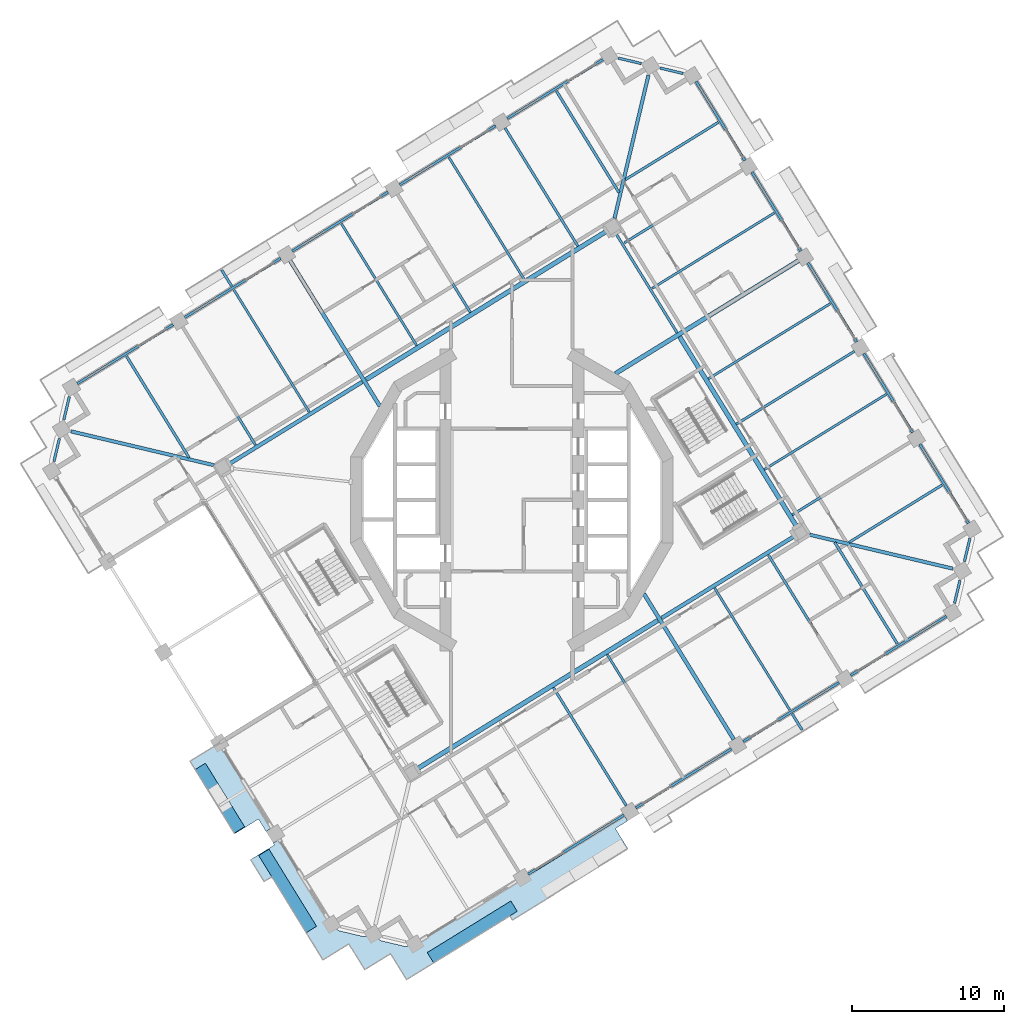
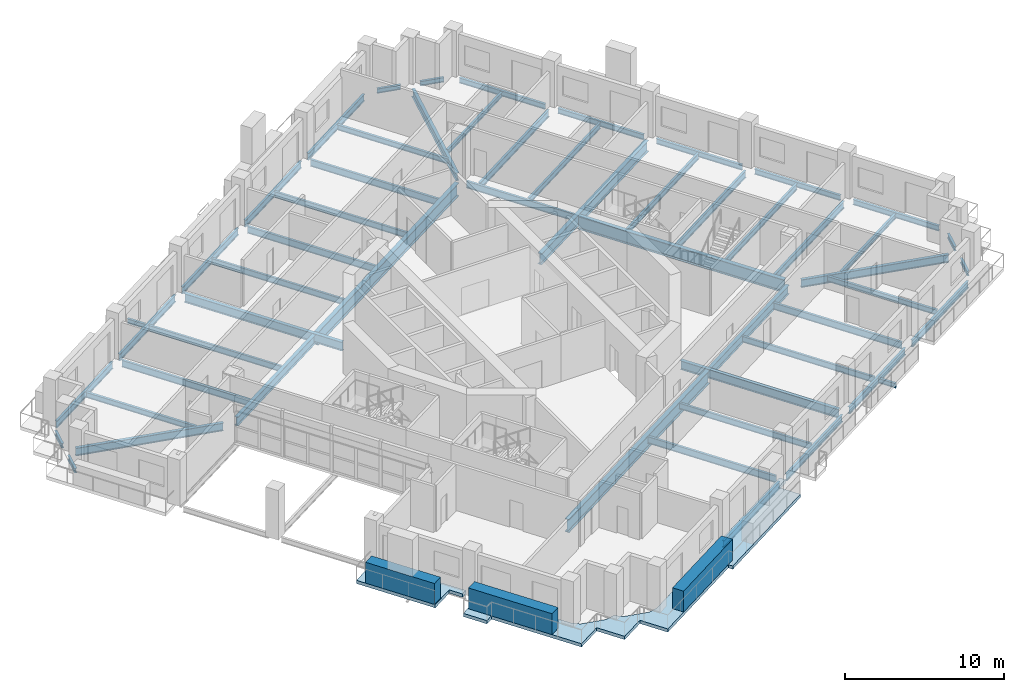
# One storey, part 3 of 20: 55 beams, 3 plates, 2 slabs.
"""IFC4 building model written with IfcOpenShell, lengths in metres."""

from ifc_helpers import new_model, si_unit, direction, frame, origin, origin_2d, place, context, subcontext, project, spatial, polyline, rectangle, i_section, outline, extrude, material, layer, layer_set, material_profile, profile_set, type_object, element, save


model = new_model("IFC4")

# Units and contexts
model_context = context("Model", 3, precision=1e-05, world=origin(), true_north=direction((0.0, 1.0)))
body_context = subcontext(model_context, "Body", "Model", "MODEL_VIEW")
ifc_project = project(units=[si_unit("LENGTHUNIT", "METRE"), si_unit("AREAUNIT", "SQUARE_METRE"), si_unit("VOLUMEUNIT", "CUBIC_METRE"), si_unit("PLANEANGLEUNIT", "RADIAN"), si_unit("MASSUNIT", "GRAM", prefix="KILO")], contexts=[model_context])

# Site, building, storey
site_placement = place(None, origin())
site = spatial("IfcSite", under=ifc_project, at=site_placement, CompositionType="ELEMENT")
building_placement = place(site_placement, origin())
building = spatial("IfcBuilding", under=site, at=building_placement, Name="Cantera Rosa Tower", CompositionType="ELEMENT")
storey_placement = place(building_placement, frame((0.0, 0.0, 155.199951171875)))
storey = spatial("IfcBuildingStorey", under=building, at=storey_placement, Name="L33", CompositionType="ELEMENT", Elevation=155.199951171875)

# Beams
ifc_material_1 = material(Name="Steel ASTM A992 (Fy 345 MPa)", Category="steel")
ifc_material_profile_1 = material_profile(ifc_material_1, i_section(OverallWidth=0.300048828125, OverallDepth=0.990966796875, WebThickness=0.0166015625, FlangeThickness=0.030517578125, FilletRadius=0.030029296875, at=origin_2d()), Name="W1000X272")
ifc_profile_set_1 = profile_set([ifc_material_profile_1], Name="Steel ASTM A992 (Fy 345 MPa)")
beam_type_1 = type_object("IfcBeamType", Name="STEEL BEAM W1000X272", PredefinedType="BEAM", material=ifc_profile_set_1)
beam_1_placement = place(storey_placement, frame((18.767822265625, -1.75927734375, -0.745361328125), z_axis=(-0.524974072618, 0.851118219215, 0.0), x_axis=(-0.851118219215, -0.524974072618, 0.0)))
element("IfcBeam", 1, at=beam_1_placement, inside=storey, type_object=beam_type_1, Name="RB-Z3-05 L33", PredefinedType="BEAM", context=body_context, shape_type="SweptSolid", body=[
    extrude(i_section(OverallWidth=0.300048828125, OverallDepth=0.990966796875, WebThickness=0.0166015625, FlangeThickness=0.030517578125, FilletRadius=0.030029296875, at=origin_2d()), origin(), (0.0, 0.0, 1.0), 14.7099609375),
])
ifc_material_2 = material(Name="Steel ASTM A992 (Fy 345 MPa)", Category="steel")
ifc_material_profile_2 = material_profile(ifc_material_2, i_section(OverallWidth=0.302001953125, OverallDepth=1.010009765625, WebThickness=0.02099609375, FlangeThickness=0.0400390625, FilletRadius=0.030029296875, at=origin_2d()), Name="W1000X350")
ifc_profile_set_2 = profile_set([ifc_material_profile_2], Name="Steel ASTM A992 (Fy 345 MPa)")
beam_type_2 = type_object("IfcBeamType", Name="STEEL BEAM W1000X350", PredefinedType="BEAM", material=ifc_profile_set_2)
for number, where, z_axis, x_axis, name in (
    (2, (-9.607666015625, 7.93798828125, -0.7548828125), (0.851118702028, 0.524973289852, 0.0), (-0.524973289852, 0.851118702028, 0.0), "RB-Z3-02 L33"),
    (3, (-6.231689453125, -17.707763671875, -0.7548828125), (0.851118702028, 0.524973289852, 0.0), (-0.524973289852, 0.851118702028, 0.0), "RB-Z3-03 L33"),
):
    element("IfcBeam", number, at=place(storey_placement, frame(where, z_axis=z_axis, x_axis=x_axis)), inside=storey, type_object=beam_type_2, Name=name, PredefinedType="BEAM", context=body_context, shape_type="SweptSolid", body=[
        extrude(i_section(OverallWidth=0.302001953125, OverallDepth=1.010009765625, WebThickness=0.02099609375, FlangeThickness=0.0400390625, FilletRadius=0.030029296875, at=origin_2d()), origin(), (0.0, 0.0, 1.0), 18.610107421875),
    ])
ifc_material_3 = material(Name="Steel ASTM A992 (Fy 345 MPa)", Category="steel")
ifc_material_profile_3 = material_profile(ifc_material_3, i_section(OverallWidth=0.166015625, OverallDepth=0.528076171875, WebThickness=0.009765625, FlangeThickness=0.013671875, FilletRadius=0.0126953125, at=origin_2d()), Name="W530X74")
ifc_profile_set_3 = profile_set([ifc_material_profile_3], Name="Steel ASTM A992 (Fy 345 MPa)")
beam_type_3 = type_object("IfcBeamType", Name="STEEL BEAM W530X74", PredefinedType="BEAM", material=ifc_profile_set_3)
beam_2_placement = place(storey_placement, frame((26.252685546875, 3.82080078125, -0.513916015625), z_axis=(-0.851116426313, -0.524976979362, 0.0), x_axis=(0.524976979362, -0.851116426313, 0.0)))
element("IfcBeam", 4, at=beam_2_placement, inside=storey, type_object=beam_type_3, Name="G-Z3-01 L33", PredefinedType="BEAM", context=body_context, shape_type="SweptSolid", body=[
    extrude(i_section(OverallWidth=0.166015625, OverallDepth=0.528076171875, WebThickness=0.009765625, FlangeThickness=0.013671875, FilletRadius=0.0126953125, at=origin_2d()), origin(), (0.0, 0.0, 1.0), 9.14990234375),
])
for number, where, z_axis, x_axis, name in (
    (5, (22.5673828125, 9.795654296875, -0.513916015625), (-0.851123779764, -0.524965057427, 0.0), (0.524965057427, -0.851123779764, 0.0), "G-Z3-02 L33"),
    (6, (15.19677734375, 21.745361328125, -0.513916015625), (-0.851123779764, -0.524965057427, 0.0), (0.524965057427, -0.851123779764, 0.0), "G-Z3-04 L33"),
):
    element("IfcBeam", number, at=place(storey_placement, frame(where, z_axis=z_axis, x_axis=x_axis)), inside=storey, type_object=beam_type_3, Name=name, PredefinedType="BEAM", context=body_context, shape_type="SweptSolid", body=[
        extrude(i_section(OverallWidth=0.166015625, OverallDepth=0.528076171875, WebThickness=0.009765625, FlangeThickness=0.013671875, FilletRadius=0.0126953125, at=origin_2d()), origin(), (0.0, 0.0, 1.0), 9.150146484375),
    ])
beam_3_placement = place(storey_placement, frame((-0.455078125, 24.51025390625, -0.513916015625), z_axis=(0.524976979362, -0.851116426313, 0.0), x_axis=(0.851116426313, 0.524976979362, 0.0)))
element("IfcBeam", 7, at=beam_3_placement, inside=storey, type_object=beam_type_3, Name="G-Z3-05 L33", PredefinedType="BEAM", context=body_context, shape_type="SweptSolid", body=[
    extrude(i_section(OverallWidth=0.166015625, OverallDepth=0.528076171875, WebThickness=0.009765625, FlangeThickness=0.013671875, FilletRadius=0.0126953125, at=origin_2d()), origin(), (0.0, 0.0, 1.0), 9.14990234375),
])
beam_4_placement = place(storey_placement, frame((-7.536376953125, 20.142578125, -0.513916015625), z_axis=(0.524965057427, -0.851123779764, 0.0), x_axis=(0.851123779764, 0.524965057427, 0.0)))
element("IfcBeam", 8, at=beam_4_placement, inside=storey, type_object=beam_type_3, Name="G-Z3-06 L33", PredefinedType="BEAM", context=body_context, shape_type="SweptSolid", body=[
    extrude(i_section(OverallWidth=0.166015625, OverallDepth=0.528076171875, WebThickness=0.009765625, FlangeThickness=0.013671875, FilletRadius=0.0126953125, at=origin_2d()), origin(), (0.0, 0.0, 1.0), 9.150146484375),
])
beam_5_placement = place(storey_placement, frame((-21.698974609375, 11.40673828125, -0.513916015625), z_axis=(0.524976979362, -0.851116426313, 0.0), x_axis=(0.851116426313, 0.524976979362, 0.0)))
element("IfcBeam", 9, at=beam_5_placement, inside=storey, type_object=beam_type_3, Name="G-Z3-08 L33", PredefinedType="BEAM", context=body_context, shape_type="SweptSolid", body=[
    extrude(i_section(OverallWidth=0.166015625, OverallDepth=0.528076171875, WebThickness=0.009765625, FlangeThickness=0.013671875, FilletRadius=0.0126953125, at=origin_2d()), origin(), (0.0, 0.0, 1.0), 9.14990234375),
])
beam_6_placement = place(storey_placement, frame((7.536376953125, -20.142578125, -0.513916015625), z_axis=(-0.524965057427, 0.851123779764, 0.0), x_axis=(-0.851123779764, -0.524965057427, 0.0)))
element("IfcBeam", 10, at=beam_6_placement, inside=storey, type_object=beam_type_3, Name="G-Z3-10 L33", PredefinedType="BEAM", context=body_context, shape_type="SweptSolid", body=[
    extrude(i_section(OverallWidth=0.166015625, OverallDepth=0.528076171875, WebThickness=0.009765625, FlangeThickness=0.013671875, FilletRadius=0.0126953125, at=origin_2d()), origin(), (0.0, 0.0, 1.0), 9.150146484375),
])
beam_7_placement = place(storey_placement, frame((21.698974609375, -11.40673828125, -0.513916015625), z_axis=(-0.524976979362, 0.851116426313, 0.0), x_axis=(-0.851116426313, -0.524976979362, 0.0)))
element("IfcBeam", 11, at=beam_7_placement, inside=storey, type_object=beam_type_3, Name="G-Z3-12 L33", PredefinedType="BEAM", context=body_context, shape_type="SweptSolid", body=[
    extrude(i_section(OverallWidth=0.166015625, OverallDepth=0.528076171875, WebThickness=0.009765625, FlangeThickness=0.013671875, FilletRadius=0.0126953125, at=origin_2d()), origin(), (0.0, 0.0, 1.0), 9.14990234375),
])
beam_8_placement = place(storey_placement, frame((10.887939453125, 11.015869140625, -0.513916015625), z_axis=(-0.52497571981, 0.851117203216, 0.0), x_axis=(-0.851117203216, -0.52497571981, 0.0)))
element("IfcBeam", 12, at=beam_8_placement, inside=storey, type_object=beam_type_3, Name="RB-Z3-06 L33", PredefinedType="BEAM", context=body_context, shape_type="SweptSolid", body=[
    extrude(i_section(OverallWidth=0.166015625, OverallDepth=0.528076171875, WebThickness=0.009765625, FlangeThickness=0.013671875, FilletRadius=0.0126953125, at=origin_2d()), origin(), (0.0, 0.0, 1.0), 7.690185546875),
])
ifc_material_4 = material(Name="Steel ASTM A992 (Fy 345 MPa)", Category="steel")
ifc_material_profile_4 = material_profile(ifc_material_4, i_section(OverallWidth=0.22802734375, OverallDepth=0.60205078125, WebThickness=0.010498046875, FlangeThickness=0.014892578125, FilletRadius=0.0126953125, at=origin_2d()), Name="W610X101")
ifc_profile_set_4 = profile_set([ifc_material_profile_4], Name="Steel ASTM A992 (Fy 345 MPa)")
beam_type_4 = type_object("IfcBeamType", Name="STEEL BEAM W610X101", PredefinedType="BEAM", material=ifc_profile_set_4)
for number, where, z_axis, x_axis, name in (
    (13, (8.995361328125, 27.989501953125, -0.551025390625), (-0.230622120091, -0.973043389436, 0.0), (0.973043389436, -0.230622120091, 0.0), "CB-Z3-01 L33"),
    (14, (-29.049560546875, 4.523193359375, -0.551025390625), (0.973043389436, -0.230622120091, 0.0), (0.230622120091, 0.973043389436, 0.0), "CB-Z3-02 L33"),
    (15, (29.049560546875, -4.523193359375, -0.551025390625), (-0.973043389436, 0.230622120091, 0.0), (-0.230622120091, -0.973043389436, 0.0), "CB-Z3-04 L33"),
):
    element("IfcBeam", number, at=place(storey_placement, frame(where, z_axis=z_axis, x_axis=x_axis)), inside=storey, type_object=beam_type_4, Name=name, PredefinedType="BEAM", context=body_context, shape_type="SweptSolid", body=[
        extrude(i_section(OverallWidth=0.22802734375, OverallDepth=0.60205078125, WebThickness=0.010498046875, FlangeThickness=0.014892578125, FilletRadius=0.0126953125, at=origin_2d()), origin(), (0.0, 0.0, 1.0), 9.6875),
    ])
ifc_material_5 = material(Name="Steel ASTM A992 (Fy 345 MPa)", Category="steel")
ifc_material_profile_5 = material_profile(ifc_material_5, i_section(OverallWidth=0.25390625, OverallDepth=0.677978515625, WebThickness=0.01171875, FlangeThickness=0.016357421875, FilletRadius=0.01513671875, at=origin_2d()), Name="W690X125")
ifc_profile_set_5 = profile_set([ifc_material_profile_5], Name="Steel ASTM A992 (Fy 345 MPa)")
beam_type_5 = type_object("IfcBeamType", Name="STEEL BEAM W690X125", PredefinedType="BEAM", material=ifc_profile_set_5)
for number, where, z_axis, x_axis, name in (
    (16, (-14.61767578125, 15.774658203125, -0.5888671875), (0.524984160378, -0.85111199695, 0.0), (0.85111199695, 0.524984160378, 0.0), "G-Z3-07 L33"),
    (17, (14.61767578125, -15.774658203125, -0.5888671875), (-0.524984160378, 0.85111199695, 0.0), (-0.85111199695, -0.524984160378, 0.0), "G-Z3-11 L33"),
):
    element("IfcBeam", number, at=place(storey_placement, frame(where, z_axis=z_axis, x_axis=x_axis)), inside=storey, type_object=beam_type_5, Name=name, PredefinedType="BEAM", context=body_context, shape_type="SweptSolid", body=[
        extrude(i_section(OverallWidth=0.25390625, OverallDepth=0.677978515625, WebThickness=0.01171875, FlangeThickness=0.016357421875, FilletRadius=0.01513671875, at=origin_2d()), origin(), (0.0, 0.0, 1.0), 11.271728515625),
    ])
for number, where, z_axis, x_axis, name in (
    (18, (-18.62109375, 2.37841796875, -0.5888671875), (0.851114508358, 0.524980088825, 0.0), (-0.524980088825, 0.851114508358, 0.0), "RB-Z3-01 L33"),
    (19, (9.863037109375, -7.780517578125, -0.5888671875), (0.851114508358, 0.524980088825, 0.0), (-0.524980088825, 0.851114508358, 0.0), "RB-Z3-04 L33"),
):
    element("IfcBeam", number, at=place(storey_placement, frame(where, z_axis=z_axis, x_axis=x_axis)), inside=storey, type_object=beam_type_5, Name=name, PredefinedType="BEAM", context=body_context, shape_type="SweptSolid", body=[
        extrude(i_section(OverallWidth=0.25390625, OverallDepth=0.677978515625, WebThickness=0.01171875, FlangeThickness=0.016357421875, FilletRadius=0.01513671875, at=origin_2d()), origin(), (0.0, 0.0, 1.0), 10.2900390625),
    ])
ifc_material_6 = material(Name="Steel ASTM A992 (Fy 345 MPa)", Category="steel")
ifc_material_profile_6 = material_profile(ifc_material_6, i_section(OverallWidth=0.2919921875, OverallDepth=0.8359375, WebThickness=0.013916015625, FlangeThickness=0.018798828125, FilletRadius=0.017822265625, at=origin_2d()), Name="W840X176")
ifc_profile_set_6 = profile_set([ifc_material_profile_6], Name="Steel ASTM A992 (Fy 345 MPa)")
beam_type_6 = type_object("IfcBeamType", Name="STEEL BEAM W840X176", PredefinedType="BEAM", material=ifc_profile_set_6)
beam_9_placement = place(storey_placement, frame((18.882080078125, 15.7705078125, -0.66796875), z_axis=(-0.8511231456, -0.524966085595, 0.0), x_axis=(0.524966085595, -0.8511231456, 0.0)))
element("IfcBeam", 20, at=beam_9_placement, inside=storey, type_object=beam_type_6, Name="G-Z3-03 L33", PredefinedType="BEAM", context=body_context, shape_type="SweptSolid", body=[
    extrude(i_section(OverallWidth=0.2919921875, OverallDepth=0.8359375, WebThickness=0.013916015625, FlangeThickness=0.018798828125, FilletRadius=0.017822265625, at=origin_2d()), origin(), (0.0, 0.0, 1.0), 14.17138671875),
])
ifc_material_7 = material(Name="Steel ASTM A992 (Fy 345 MPa)", Category="steel")
ifc_material_profile_7 = material_profile(ifc_material_7, i_section(OverallWidth=0.1708984375, OverallDepth=0.35595703125, WebThickness=0.00732421875, FlangeThickness=0.01171875, FilletRadius=0.010009765625, at=origin_2d()), Name="W360X51")
ifc_profile_set_7 = profile_set([ifc_material_profile_7], Name="Steel ASTM A992 (Fy 345 MPa)")
beam_type_7 = type_object("IfcBeamType", Name="STEEL JOIST W360X51", PredefinedType="JOIST", material=ifc_profile_set_7)
for number, where, z_axis, x_axis, name in (
    (21, (28.3505859375, 0.990966796875, -0.427978515625), (-0.851109089911, -0.524988873283, 0.0), (0.524988873283, -0.851109089911, 0.0), "B-Z3-01 L33"),
    (22, (13.609375, 24.890380859375, -0.427978515625), (-0.851109089911, -0.524988873283, 0.0), (0.524988873283, -0.851109089911, 0.0), "B-Z3-05 L33"),
):
    element("IfcBeam", number, at=place(storey_placement, frame(where, z_axis=z_axis, x_axis=x_axis)), inside=storey, type_object=beam_type_7, Name=name, PredefinedType="JOIST", context=body_context, shape_type="SweptSolid", body=[
        extrude(i_section(OverallWidth=0.1708984375, OverallDepth=0.35595703125, WebThickness=0.00732421875, FlangeThickness=0.01171875, FilletRadius=0.010009765625, at=origin_2d()), origin(), (0.0, 0.0, 1.0), 7.2099609375),
    ])
for number, where, z_axis, x_axis, name in (
    (23, (-18.462890625, 14.08447265625, -0.427978515625), (-0.524968880559, 0.851121421681, 0.0), (-0.851121421681, -0.524968880559, 0.0), "BS-Z3-05 L33"),
    (24, (18.462890625, -14.08447265625, -0.427978515625), (0.524968880559, -0.851121421681, 0.0), (0.851121421681, 0.524968880559, 0.0), "BS-Z3-06 L33"),
):
    element("IfcBeam", number, at=place(storey_placement, frame(where, z_axis=z_axis, x_axis=x_axis)), inside=storey, type_object=beam_type_7, Name=name, PredefinedType="JOIST", context=body_context, shape_type="SweptSolid", body=[
        extrude(i_section(OverallWidth=0.1708984375, OverallDepth=0.35595703125, WebThickness=0.00732421875, FlangeThickness=0.01171875, FilletRadius=0.010009765625, at=origin_2d()), origin(), (0.0, 0.0, 1.0), 1.25),
    ])
ifc_material_8 = material(Name="Steel ASTM A992 (Fy 345 MPa)", Category="steel")
ifc_material_profile_8 = material_profile(ifc_material_8, i_section(OverallWidth=0.177978515625, OverallDepth=0.406005859375, WebThickness=0.0078125, FlangeThickness=0.0126953125, FilletRadius=0.01025390625, at=origin_2d()), Name="W410X60")
ifc_profile_set_8 = profile_set([ifc_material_profile_8], Name="Steel ASTM A992 (Fy 345 MPa)")
beam_type_8 = type_object("IfcBeamType", Name="STEEL JOIST W410X60", PredefinedType="JOIST", material=ifc_profile_set_8)
beam_10_placement = place(storey_placement, frame((2.927978515625, 26.949462890625, -0.452880859375), z_axis=(0.524994840515, -0.85110540912, 0.0), x_axis=(0.85110540912, 0.524994840515, 0.0)))
element("IfcBeam", 25, at=beam_10_placement, inside=storey, type_object=beam_type_8, Name="B-Z3-06 L33", PredefinedType="JOIST", context=body_context, shape_type="SweptSolid", body=[
    extrude(i_section(OverallWidth=0.177978515625, OverallDepth=0.406005859375, WebThickness=0.0078125, FlangeThickness=0.0126953125, FilletRadius=0.01025390625, at=origin_2d()), origin(), (0.0, 0.0, 1.0), 7.860107421875),
])
for number, where, z_axis, x_axis, name in (
    (26, (-25.39697265625, 9.478271484375, -0.452880859375), (0.524972339906, -0.851119287958, 0.0), (0.851119287958, 0.524972339906, 0.0), "B-Z3-10 L33"),
    (27, (25.39697265625, -9.478271484375, -0.452880859375), (-0.524972339906, 0.851119287958, 0.0), (-0.851119287958, -0.524972339906, 0.0), "B-Z3-15 L33"),
):
    element("IfcBeam", number, at=place(storey_placement, frame(where, z_axis=z_axis, x_axis=x_axis)), inside=storey, type_object=beam_type_8, Name=name, PredefinedType="JOIST", context=body_context, shape_type="SweptSolid", body=[
        extrude(i_section(OverallWidth=0.177978515625, OverallDepth=0.406005859375, WebThickness=0.0078125, FlangeThickness=0.0126953125, FilletRadius=0.01025390625, at=origin_2d()), origin(), (0.0, 0.0, 1.0), 7.85986328125),
    ])
ifc_material_9 = material(Name="Steel ASTM A992 (Fy 345 MPa)", Category="steel")
ifc_material_profile_9 = material_profile(ifc_material_9, i_section(OverallWidth=0.154052734375, OverallDepth=0.4599609375, WebThickness=0.009033203125, FlangeThickness=0.015380859375, FilletRadius=0.01025390625, at=origin_2d()), Name="W460X68")
ifc_profile_set_9 = profile_set([ifc_material_profile_9], Name="Steel ASTM A992 (Fy 345 MPa)")
beam_type_9 = type_object("IfcBeamType", Name="STEEL JOIST W460X68", PredefinedType="JOIST", material=ifc_profile_set_9)
for number, where, z_axis, x_axis, name in (
    (28, (24.665283203125, 6.9658203125, -0.47998046875), (-0.851118539758, -0.524973552935, 0.0), (0.524973552935, -0.851118539758, 0.0), "B-Z3-02 L33"),
    (29, (20.97998046875, 12.940673828125, -0.47998046875), (-0.851118539758, -0.524973552935, 0.0), (0.524973552935, -0.851118539758, 0.0), "B-Z3-03 L33"),
    (30, (17.294677734375, 18.91552734375, -0.47998046875), (-0.851118539758, -0.524973552935, 0.0), (0.524973552935, -0.851118539758, 0.0), "B-Z3-04 L33"),
):
    element("IfcBeam", number, at=place(storey_placement, frame(where, z_axis=z_axis, x_axis=x_axis)), inside=storey, type_object=beam_type_9, Name=name, PredefinedType="JOIST", context=body_context, shape_type="SweptSolid", body=[
        extrude(i_section(OverallWidth=0.154052734375, OverallDepth=0.4599609375, WebThickness=0.009033203125, FlangeThickness=0.015380859375, FilletRadius=0.01025390625, at=origin_2d()), origin(), (0.0, 0.0, 1.0), 9.449951171875),
    ])
beam_11_placement = place(storey_placement, frame((-4.1533203125, 22.581787109375, -0.47998046875), z_axis=(0.524980724235, -0.851114116427, 0.0), x_axis=(0.851114116427, 0.524980724235, 0.0)))
element("IfcBeam", 31, at=beam_11_placement, inside=storey, type_object=beam_type_9, Name="B-Z3-07 L33", PredefinedType="JOIST", context=body_context, shape_type="SweptSolid", body=[
    extrude(i_section(OverallWidth=0.154052734375, OverallDepth=0.4599609375, WebThickness=0.009033203125, FlangeThickness=0.015380859375, FilletRadius=0.01025390625, at=origin_2d()), origin(), (0.0, 0.0, 1.0), 9.4501953125),
])
beam_12_placement = place(storey_placement, frame((-11.234619140625, 18.2138671875, -0.47998046875), z_axis=(0.524992267726, -0.85110699611, 0.0), x_axis=(0.85110699611, 0.524992267726, 0.0)))
element("IfcBeam", 32, at=beam_12_placement, inside=storey, type_object=beam_type_9, Name="B-Z3-08 L33", PredefinedType="JOIST", context=body_context, shape_type="SweptSolid", body=[
    extrude(i_section(OverallWidth=0.154052734375, OverallDepth=0.4599609375, WebThickness=0.009033203125, FlangeThickness=0.015380859375, FilletRadius=0.01025390625, at=origin_2d()), origin(), (0.0, 0.0, 1.0), 9.449951171875),
])
beam_13_placement = place(storey_placement, frame((-18.315673828125, 13.84619140625, -0.47998046875), z_axis=(0.524962009542, -0.851125659663, 0.0), x_axis=(0.851125659663, 0.524962009542, 0.0)))
element("IfcBeam", 33, at=beam_13_placement, inside=storey, type_object=beam_type_9, Name="B-Z3-09 L33", PredefinedType="JOIST", context=body_context, shape_type="SweptSolid", body=[
    extrude(i_section(OverallWidth=0.154052734375, OverallDepth=0.4599609375, WebThickness=0.009033203125, FlangeThickness=0.015380859375, FilletRadius=0.01025390625, at=origin_2d()), origin(), (0.0, 0.0, 1.0), 9.4501953125),
])
beam_14_placement = place(storey_placement, frame((11.234619140625, -18.2138671875, -0.47998046875), z_axis=(-0.524992267726, 0.85110699611, 0.0), x_axis=(-0.85110699611, -0.524992267726, 0.0)))
element("IfcBeam", 34, at=beam_14_placement, inside=storey, type_object=beam_type_9, Name="B-Z3-13 L33", PredefinedType="JOIST", context=body_context, shape_type="SweptSolid", body=[
    extrude(i_section(OverallWidth=0.154052734375, OverallDepth=0.4599609375, WebThickness=0.009033203125, FlangeThickness=0.015380859375, FilletRadius=0.01025390625, at=origin_2d()), origin(), (0.0, 0.0, 1.0), 9.449951171875),
])
beam_15_placement = place(storey_placement, frame((18.315673828125, -13.84619140625, -0.47998046875), z_axis=(-0.524962009542, 0.851125659663, 0.0), x_axis=(-0.851125659663, -0.524962009542, 0.0)))
element("IfcBeam", 35, at=beam_15_placement, inside=storey, type_object=beam_type_9, Name="B-Z3-14 L33", PredefinedType="JOIST", context=body_context, shape_type="SweptSolid", body=[
    extrude(i_section(OverallWidth=0.154052734375, OverallDepth=0.4599609375, WebThickness=0.009033203125, FlangeThickness=0.015380859375, FilletRadius=0.01025390625, at=origin_2d()), origin(), (0.0, 0.0, 1.0), 9.4501953125),
])
ifc_material_10 = material(Name="Steel ASTM A992 (Fy 345 MPa)", Category="steel")
ifc_material_profile_10 = material_profile(ifc_material_10, i_section(OverallWidth=0.1708984375, OverallDepth=0.35595703125, WebThickness=0.00732421875, FlangeThickness=0.01171875, FilletRadius=0.010009765625, at=origin_2d()), Name="W360X51")
ifc_profile_set_10 = profile_set([ifc_material_profile_10], Name="Steel ASTM A992 (Fy 345 MPa)")
beam_type_10 = type_object("IfcBeamType", Name="STEEL SPANDREL BEAM W360X51", PredefinedType="SPANDREL", material=ifc_profile_set_10)
for number, where, z_axis, x_axis, name in (
    (36, (11.275146484375, 28.103271484375, -0.427978515625), (-0.973059906546, 0.230552419793, 0.0), (-0.230552419793, -0.973059906546, 0.0), "EB-Z3-06 L33"),
    (37, (8.52294921875, 28.755615234375, -0.427978515625), (-0.973059906546, 0.230552419793, 0.0), (-0.230552419793, -0.973059906546, 0.0), "EB-Z3-07 L33"),
    (38, (-29.163330078125, 6.802734375, -0.427978515625), (-0.230552419793, -0.973059906546, 0.0), (0.973059906546, -0.230552419793, 0.0), "EB-Z3-13 L33"),
    (39, (-29.8154296875, 4.050537109375, -0.427978515625), (-0.230701014544, -0.973024687194, 0.0), (0.973024687194, -0.230701014544, 0.0), "EB-Z3-14 L33"),
    (40, (29.163330078125, -6.802734375, -0.427978515625), (0.230552419793, 0.973059906546, 0.0), (-0.973059906546, 0.230552419793, 0.0), "EB-Z3-27 L33"),
    (41, (29.8154296875, -4.050537109375, -0.427978515625), (0.230701014544, 0.973024687194, 0.0), (-0.973024687194, 0.230701014544, 0.0), "EB-Z3-28 L33"),
):
    element("IfcBeam", number, at=place(storey_placement, frame(where, z_axis=z_axis, x_axis=x_axis)), inside=storey, type_object=beam_type_10, Name=name, PredefinedType="SPANDREL", context=body_context, shape_type="SweptSolid", body=[
        extrude(i_section(OverallWidth=0.1708984375, OverallDepth=0.35595703125, WebThickness=0.00732421875, FlangeThickness=0.01171875, FilletRadius=0.010009765625, at=origin_2d()), origin(), (0.0, 0.0, 1.0), 1.5556640625),
    ])
ifc_material_11 = material(Name="Steel ASTM A992 (Fy 345 MPa)", Category="steel")
ifc_material_profile_11 = material_profile(ifc_material_11, i_section(OverallWidth=0.177978515625, OverallDepth=0.406005859375, WebThickness=0.0078125, FlangeThickness=0.0126953125, FilletRadius=0.01025390625, at=origin_2d()), Name="W410X60")
ifc_profile_set_11 = profile_set([ifc_material_profile_11], Name="Steel ASTM A992 (Fy 345 MPa)")
beam_type_11 = type_object("IfcBeamType", Name="STEEL SPANDREL BEAM W410X60", PredefinedType="SPANDREL", material=ifc_profile_set_11)
for number, where, z_axis, x_axis, name in (
    (42, (30.084716796875, -1.53466796875, -0.452880859375), (-0.524987447654, 0.851109969279, 0.0), (-0.851109969279, -0.524987447654, 0.0), "EB-Z3-01 L33"),
    (43, (26.3994140625, 4.440185546875, -0.452880859375), (-0.524987447654, 0.851109969279, 0.0), (-0.851109969279, -0.524987447654, 0.0), "EB-Z3-02 L33"),
    (44, (22.714111328125, 10.4150390625, -0.452880859375), (-0.524987447654, 0.851109969279, 0.0), (-0.851109969279, -0.524987447654, 0.0), "EB-Z3-03 L33"),
    (45, (19.02880859375, 16.389892578125, -0.452880859375), (-0.524987447654, 0.851109969279, 0.0), (-0.851109969279, -0.524987447654, 0.0), "EB-Z3-04 L33"),
    (46, (15.343505859375, 22.36474609375, -0.452880859375), (-0.524987447654, 0.851109969279, 0.0), (-0.851109969279, -0.524987447654, 0.0), "EB-Z3-05 L33"),
):
    element("IfcBeam", number, at=place(storey_placement, frame(where, z_axis=z_axis, x_axis=x_axis)), inside=storey, type_object=beam_type_11, Name=name, PredefinedType="SPANDREL", context=body_context, shape_type="SweptSolid", body=[
        extrude(i_section(OverallWidth=0.177978515625, OverallDepth=0.406005859375, WebThickness=0.0078125, FlangeThickness=0.0126953125, FilletRadius=0.01025390625, at=origin_2d()), origin(), (0.0, 0.0, 1.0), 6.119873046875),
    ])
ifc_material_12 = material(Name="Steel ASTM A992 (Fy 345 MPa)", Category="steel")
ifc_material_profile_12 = material_profile(ifc_material_12, i_section(OverallWidth=0.166015625, OverallDepth=0.528076171875, WebThickness=0.009765625, FlangeThickness=0.013671875, FilletRadius=0.0126953125, at=origin_2d()), Name="W530X74")
ifc_profile_set_12 = profile_set([ifc_material_profile_12], Name="Steel ASTM A992 (Fy 345 MPa)")
beam_type_12 = type_object("IfcBeamType", Name="STEEL SPANDREL BEAM W530X74", PredefinedType="SPANDREL", material=ifc_profile_set_12)
for number, where, z_axis, x_axis, name in (
    (47, (6.007080078125, 29.02490234375, -0.513916015625), (-0.851111085575, -0.524985637909, 0.0), (0.524985637909, -0.851111085575, 0.0), "EB-Z3-08 L33"),
    (48, (-1.07421875, 24.656982421875, -0.513916015625), (-0.85112578684, -0.524961803349, 0.0), (0.524961803349, -0.85112578684, 0.0), "EB-Z3-09 L33"),
    (49, (-8.155517578125, 20.289306640625, -0.513916015625), (-0.851111085575, -0.524985637909, 0.0), (0.524985637909, -0.851111085575, 0.0), "EB-Z3-10 L33"),
    (50, (-15.23681640625, 15.92138671875, -0.513916015625), (-0.85112578684, -0.524961803349, 0.0), (0.524961803349, -0.85112578684, 0.0), "EB-Z3-11 L33"),
    (51, (-22.318115234375, 11.5537109375, -0.513916015625), (-0.851111085575, -0.524985637909, 0.0), (0.524985637909, -0.851111085575, 0.0), "EB-Z3-12 L33"),
    (52, (1.07421875, -24.656982421875, -0.513916015625), (0.85112578684, 0.524961803349, 0.0), (-0.524961803349, 0.85112578684, 0.0), "EB-Z3-23 L33"),
    (53, (8.155517578125, -20.289306640625, -0.513916015625), (0.851111085575, 0.524985637909, 0.0), (-0.524985637909, 0.851111085575, 0.0), "EB-Z3-24 L33"),
    (54, (15.23681640625, -15.92138671875, -0.513916015625), (0.85112578684, 0.524961803349, 0.0), (-0.524961803349, 0.85112578684, 0.0), "EB-Z3-25 L33"),
    (55, (22.318115234375, -11.5537109375, -0.513916015625), (0.851111085575, 0.524985637909, 0.0), (-0.524985637909, 0.851111085575, 0.0), "EB-Z3-26 L33"),
):
    element("IfcBeam", number, at=place(storey_placement, frame(where, z_axis=z_axis, x_axis=x_axis)), inside=storey, type_object=beam_type_12, Name=name, PredefinedType="SPANDREL", context=body_context, shape_type="SweptSolid", body=[
        extrude(i_section(OverallWidth=0.166015625, OverallDepth=0.528076171875, WebThickness=0.009765625, FlangeThickness=0.013671875, FilletRadius=0.0126953125, at=origin_2d()), origin(), (0.0, 0.0, 1.0), 7.420166015625),
    ])

# Slabs
ifc_material_13 = material(Name="Concrete C35/45", Category="concrete")
ifc_layer = layer(ifc_material_13, 0.25)
ifc_layer_set = layer_set([ifc_layer], Name="LOGGIA SLAB 250 C35/45")
slab_type = type_object("IfcSlabType", Name="LOGGIA SLAB 250 C35/45", PredefinedType="FLOOR", material=ifc_layer_set)
slab_1_placement = place(storey_placement, frame((0.0, 0.0, -0.25)))
element("IfcSlab", 56, at=slab_1_placement, inside=storey, type_object=slab_type, Name="LOGGIA SLAB L33 2", PredefinedType="FLOOR", context=body_context, shape_type="SweptSolid", body=[
    extrude(outline(polyline([(-16.198974609375, -21.8349609375), (-16.69775390625, -21.0263671875), (-18.265380859375, -21.993408203125), (-21.2158203125, -17.210205078125), (-19.264892578125, -16.0068359375), (-15.81591796875, -21.5986328125), (-16.198974609375, -21.8349609375)])), origin(), (0.0, 0.0, 1.0), 0.25),
])
slab_2_placement = place(storey_placement, frame((0.0, 0.0, -0.25)))
element("IfcSlab", 57, at=slab_2_placement, inside=storey, type_object=slab_type, Name="LOGGIA SLAB L33 4", PredefinedType="FLOOR", context=body_context, shape_type="SweptSolid", body=[
    extrude(outline(polyline([(-5.49755859375, -30.7080078125), (-6.9443359375, -31.600341796875), (-7.8369140625, -30.153564453125), (-7.994384765625, -29.898193359375), (-8.249755859375, -30.0556640625), (-9.696533203125, -30.9482421875), (-10.589111328125, -29.501220703125), (-10.74658203125, -29.245849609375), (-11.001953125, -29.4033203125), (-12.44873046875, -30.2958984375), (-13.34130859375, -28.84912109375), (-15.823486328125, -24.82470703125), (-16.3271484375, -25.135498046875), (-17.21533203125, -23.695556640625), (-15.647705078125, -22.728515625), (-15.7265625, -22.600830078125), (-15.343505859375, -22.36474609375), (-12.408935546875, -27.122314453125), (-11.894287109375, -27.95654296875), (-11.4736328125, -28.328125), (-11.45068359375, -28.346435546875), (-11.426025390625, -28.362548828125), (-11.39990234375, -28.376220703125), (-11.37255859375, -28.386962890625), (-11.34423828125, -28.395263671875), (-9.83056640625, -28.75390625), (-9.801513671875, -28.75927734375), (-9.772216796875, -28.76171875), (-9.742919921875, -28.761474609375), (-9.713623046875, -28.75830078125), (-9.684814453125, -28.752197265625), (-9.14208984375, -28.60888671875), (-8.721435546875, -28.98046875), (-8.698486328125, -28.998779296875), (-8.673828125, -29.014892578125), (-8.647705078125, -29.0283203125), (-8.620361328125, -29.039306640625), (-8.592041015625, -29.047607421875), (-7.078369140625, -29.40625), (-7.049560546875, -29.41162109375), (-7.02001953125, -29.4140625), (-6.99072265625, -29.413818359375), (-6.96142578125, -29.410400390625), (-6.9326171875, -29.404296875), (-6.389892578125, -29.260986328125), (7.3896484375, -20.76171875), (7.625732421875, -21.144775390625), (6.8173828125, -21.643310546875), (7.6416015625, -22.97998046875), (0.032470703125, -27.67333984375), (-0.1357421875, -27.40087890625), (-5.49755859375, -30.7080078125)])), origin(), (0.0, 0.0, 1.0), 0.25),
])

# Plates
ifc_material_14 = material(Name="Cantera stone planter with soil", Category="masonry")
plate_type = type_object("IfcPlateType", Name="PLANTER 800", PredefinedType="USERDEFINED", material=ifc_material_14)
plate_1_placement = place(storey_placement, frame((-19.24267578125, -19.64697265625, 0.0), z_axis=(0.0, 0.0, 1.0), x_axis=(0.52497658034, -0.851116672434, 0.0)))
element("IfcPlate", 58, at=plate_1_placement, inside=storey, type_object=plate_type, Name="PLANTER L33-14", ObjectType="PLANTER", PredefinedType="USERDEFINED", context=body_context, shape_type="SweptSolid", body=[
    extrude(rectangle(XDim=4.919921875, YDim=0.800048828125, at=origin_2d()), origin(), (0.0, 0.0, 1.0), 1.60009765625),
])
plate_2_placement = place(storey_placement, frame((-14.77783203125, -25.758056640625, 0.0), z_axis=(0.0, 0.0, 1.0), x_axis=(0.52497658034, -0.851116672434, 0.0)))
element("IfcPlate", 59, at=plate_2_placement, inside=storey, type_object=plate_type, Name="PLANTER L33-15", ObjectType="PLANTER", PredefinedType="USERDEFINED", context=body_context, shape_type="SweptSolid", body=[
    extrude(rectangle(XDim=5.969970703125, YDim=0.800048828125, at=origin_2d()), origin(), (0.0, 0.0, 1.0), 1.60009765625),
])
plate_3_placement = place(storey_placement, frame((-2.61376953125, -28.459228515625, 0.0), z_axis=(0.0, 0.0, 1.0), x_axis=(0.851116672434, 0.52497658034, 0.0)))
element("IfcPlate", 60, at=plate_3_placement, inside=storey, type_object=plate_type, Name="PLANTER L33-16", ObjectType="PLANTER", PredefinedType="USERDEFINED", context=body_context, shape_type="SweptSolid", body=[
    extrude(rectangle(XDim=6.469970703125, YDim=0.800048828125, at=origin_2d()), origin(), (0.0, 0.0, 1.0), 1.60009765625),
])

save(model, "model.ifc")
